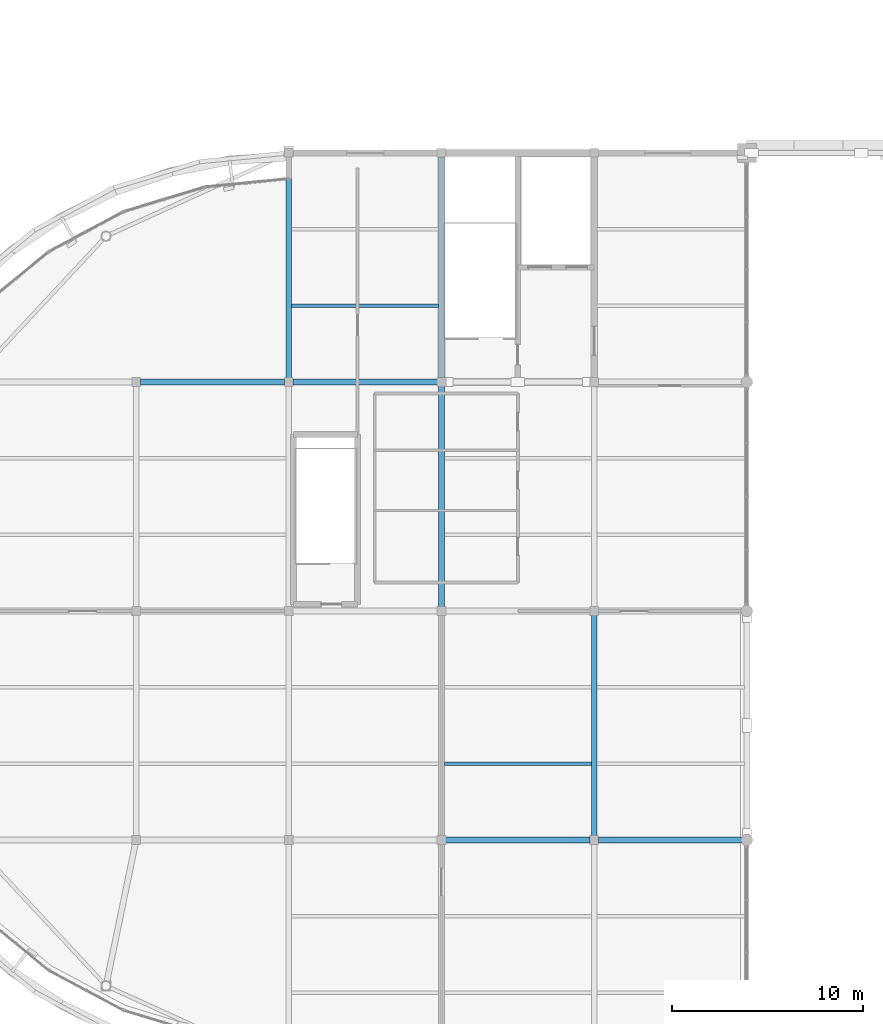
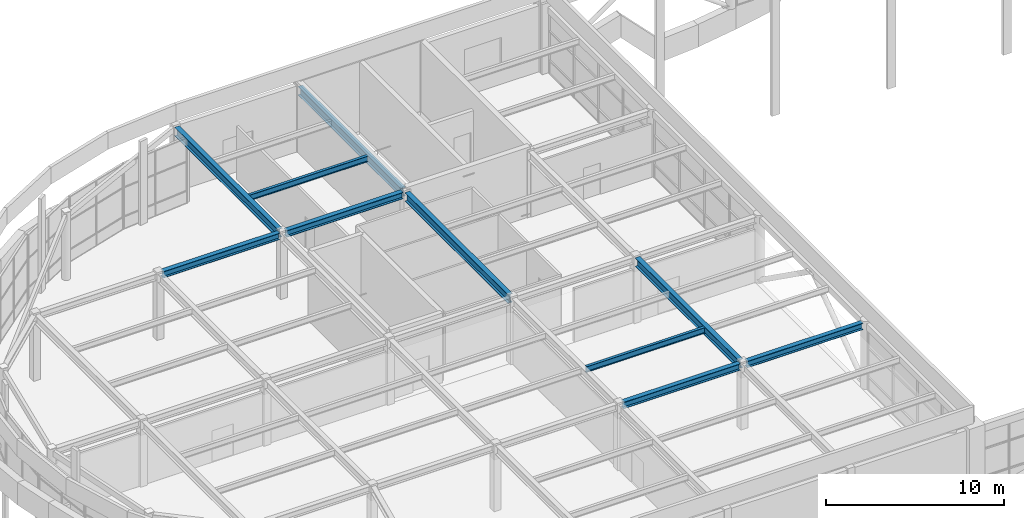
# One storey, part 15 of 63: 10 beams.
"""IFC4 building model written with IfcOpenShell, lengths in metres."""

from ifc_helpers import new_model, si_unit, direction, frame, origin, origin_2d, place, context, subcontext, project, spatial, i_section, extrude, material, material_profile, profile_set, type_object, element, save


model = new_model("IFC4")

# Units and contexts
model_context = context("Model", 3, precision=1e-05, world=origin(), true_north=direction((0.0, 1.0)))
body_context = subcontext(model_context, "Body", "Model", "MODEL_VIEW")
ifc_project = project(units=[si_unit("LENGTHUNIT", "METRE"), si_unit("AREAUNIT", "SQUARE_METRE"), si_unit("VOLUMEUNIT", "CUBIC_METRE"), si_unit("PLANEANGLEUNIT", "RADIAN"), si_unit("MASSUNIT", "GRAM", prefix="KILO")], contexts=[model_context])

# Site, building, storey
site_placement = place(None, origin())
site = spatial("IfcSite", under=ifc_project, at=site_placement, CompositionType="ELEMENT")
building_placement = place(site_placement, origin())
building = spatial("IfcBuilding", under=site, at=building_placement, Name="Keelwater Ferry Terminal", CompositionType="ELEMENT")
storey_placement = place(building_placement, frame((0.0, 0.0, 10.199951171875)))
storey = spatial("IfcBuildingStorey", under=building, at=storey_placement, Name="L02", CompositionType="ELEMENT", Elevation=10.199951171875)

# Beams
ifc_material_1 = material(Name="Steel S355", Category="steel")
ifc_material_profile_1 = material_profile(ifc_material_1, i_section(OverallWidth=0.300048828125, OverallDepth=0.60009765625, WebThickness=0.015380859375, FlangeThickness=0.030029296875, at=origin_2d()), Name="HEB 600")
ifc_profile_set_1 = profile_set([ifc_material_profile_1], Name="Steel S355")
beam_type_1 = type_object("IfcBeamType", Name="G3 HEB 600", PredefinedType="BEAM", material=ifc_profile_set_1)
for number, where, z_axis, x_axis, name in (
    (1, (24.0, 78.219970703125, 4.219970703125), (0.0, 1.0, 0.0), (-1.0, 0.0, 0.0), "Beam BM-L02-1079"),
    (2, (40.0, 54.219970703125, 4.219970703125), (0.0, 1.0, 0.0), (-1.0, 0.0, 0.0), "Beam BM-L02-1085"),
):
    element("IfcBeam", number, at=place(storey_placement, frame(where, z_axis=z_axis, x_axis=x_axis)), inside=storey, type_object=beam_type_1, Name=name, PredefinedType="BEAM", context=body_context, shape_type="SweptSolid", body=[
        extrude(i_section(OverallWidth=0.300048828125, OverallDepth=0.60009765625, WebThickness=0.015380859375, FlangeThickness=0.030029296875, at=origin_2d()), origin(), (0.0, 0.0, 1.0), 11.56005859375),
    ])
ifc_material_2 = material(Name="Steel S355", Category="steel")
ifc_material_profile_2 = material_profile(ifc_material_2, i_section(OverallWidth=0.300048828125, OverallDepth=0.60009765625, WebThickness=0.015380859375, FlangeThickness=0.030029296875, at=origin_2d()), Name="HEB 600")
ifc_profile_set_2 = profile_set([ifc_material_profile_2], Name="Steel S355")
beam_type_2 = type_object("IfcBeamType", Name="G3E HEB 600", PredefinedType="BEAM", material=ifc_profile_set_2)
for number, where, z_axis, x_axis, name in (
    (3, (32.0, 66.219970703125, 4.219970703125), (0.0, 1.0, 0.0), (-1.0, 0.0, 0.0), "Beam BM-L02-1082"),
    (4, (32.0, 78.219970703125, 4.219970703125), (0.0, 1.0, 0.0), (-1.0, 0.0, 0.0), "Beam BM-L02-1083"),
):
    element("IfcBeam", number, at=place(storey_placement, frame(where, z_axis=z_axis, x_axis=x_axis)), inside=storey, type_object=beam_type_2, Name=name, PredefinedType="BEAM", context=body_context, shape_type="SweptSolid", body=[
        extrude(i_section(OverallWidth=0.300048828125, OverallDepth=0.60009765625, WebThickness=0.015380859375, FlangeThickness=0.030029296875, at=origin_2d()), origin(), (0.0, 0.0, 1.0), 11.56005859375),
    ])
ifc_material_3 = material(Name="Steel S355", Category="steel")
ifc_material_profile_3 = material_profile(ifc_material_3, i_section(OverallWidth=0.300048828125, OverallDepth=0.449951171875, WebThickness=0.013916015625, FlangeThickness=0.02587890625, at=origin_2d()), Name="HEB 450")
ifc_profile_set_3 = profile_set([ifc_material_profile_3], Name="Steel S355")
beam_type_3 = type_object("IfcBeamType", Name="G6 HEB 450", PredefinedType="BEAM", material=ifc_profile_set_3)
beam_1_placement = place(storey_placement, frame((32.219970703125, 54.0, 4.295166015625), z_axis=(1.0, 0.0, 0.0), x_axis=(0.0, 1.0, 0.0)))
element("IfcBeam", 5, at=beam_1_placement, inside=storey, type_object=beam_type_3, Name="Beam BM-L02-0999", PredefinedType="BEAM", context=body_context, shape_type="SweptSolid", body=[
    extrude(i_section(OverallWidth=0.300048828125, OverallDepth=0.449951171875, WebThickness=0.013916015625, FlangeThickness=0.02587890625, at=origin_2d()), origin(), (0.0, 0.0, 1.0), 7.56005859375),
])
beam_2_placement = place(storey_placement, frame((40.219970703125, 54.0, 4.295166015625), z_axis=(1.0, 0.0, 0.0), x_axis=(0.0, 1.0, 0.0)))
element("IfcBeam", 6, at=beam_2_placement, inside=storey, type_object=beam_type_3, Name="Beam BM-L02-1000", PredefinedType="BEAM", context=body_context, shape_type="SweptSolid", body=[
    extrude(i_section(OverallWidth=0.300048828125, OverallDepth=0.449951171875, WebThickness=0.013916015625, FlangeThickness=0.02587890625, at=origin_2d()), origin(), (0.0, 0.0, 1.0), 7.533935546875),
])
beam_3_placement = place(storey_placement, frame((16.220947265625, 78.0, 4.295166015625), z_axis=(1.0, 0.0, 0.0), x_axis=(0.0, 1.0, 0.0)))
element("IfcBeam", 7, at=beam_3_placement, inside=storey, type_object=beam_type_3, Name="Beam BM-L02-1019", PredefinedType="BEAM", context=body_context, shape_type="SweptSolid", body=[
    extrude(i_section(OverallWidth=0.300048828125, OverallDepth=0.449951171875, WebThickness=0.013916015625, FlangeThickness=0.02587890625, at=origin_2d()), origin(), (0.0, 0.0, 1.0), 7.55908203125),
])
beam_4_placement = place(storey_placement, frame((24.219970703125, 78.0, 4.295166015625), z_axis=(1.0, 0.0, 0.0), x_axis=(0.0, 1.0, 0.0)))
element("IfcBeam", 8, at=beam_4_placement, inside=storey, type_object=beam_type_3, Name="Beam BM-L02-1020", PredefinedType="BEAM", context=body_context, shape_type="SweptSolid", body=[
    extrude(i_section(OverallWidth=0.300048828125, OverallDepth=0.449951171875, WebThickness=0.013916015625, FlangeThickness=0.02587890625, at=origin_2d()), origin(), (0.0, 0.0, 1.0), 7.56005859375),
])
ifc_material_4 = material(Name="Steel S355", Category="steel")
ifc_material_profile_4 = material_profile(ifc_material_4, i_section(OverallWidth=0.179931640625, OverallDepth=0.39990234375, WebThickness=0.008544921875, FlangeThickness=0.013427734375, at=origin_2d()), Name="IPE 400")
ifc_profile_set_4 = profile_set([ifc_material_profile_4], Name="Steel S355")
beam_type_4 = type_object("IfcBeamType", Name="J5 IPE 400", PredefinedType="JOIST", material=ifc_profile_set_4)
for number, where, z_axis, x_axis, name in (
    (9, (24.14990234375, 82.0, 4.320068359375), (1.0, 0.0, 0.0), (0.0, 1.0, 0.0), "Beam BM-L02-1160"),
    (10, (32.14990234375, 58.0, 4.320068359375), (1.0, 0.0, 0.0), (0.0, 1.0, 0.0), "Beam BM-L02-1164"),
):
    element("IfcBeam", number, at=place(storey_placement, frame(where, z_axis=z_axis, x_axis=x_axis)), inside=storey, type_object=beam_type_4, Name=name, PredefinedType="JOIST", context=body_context, shape_type="SweptSolid", body=[
        extrude(i_section(OverallWidth=0.179931640625, OverallDepth=0.39990234375, WebThickness=0.008544921875, FlangeThickness=0.013427734375, at=origin_2d()), origin(), (0.0, 0.0, 1.0), 7.7001953125),
    ])

save(model, "model.ifc")
